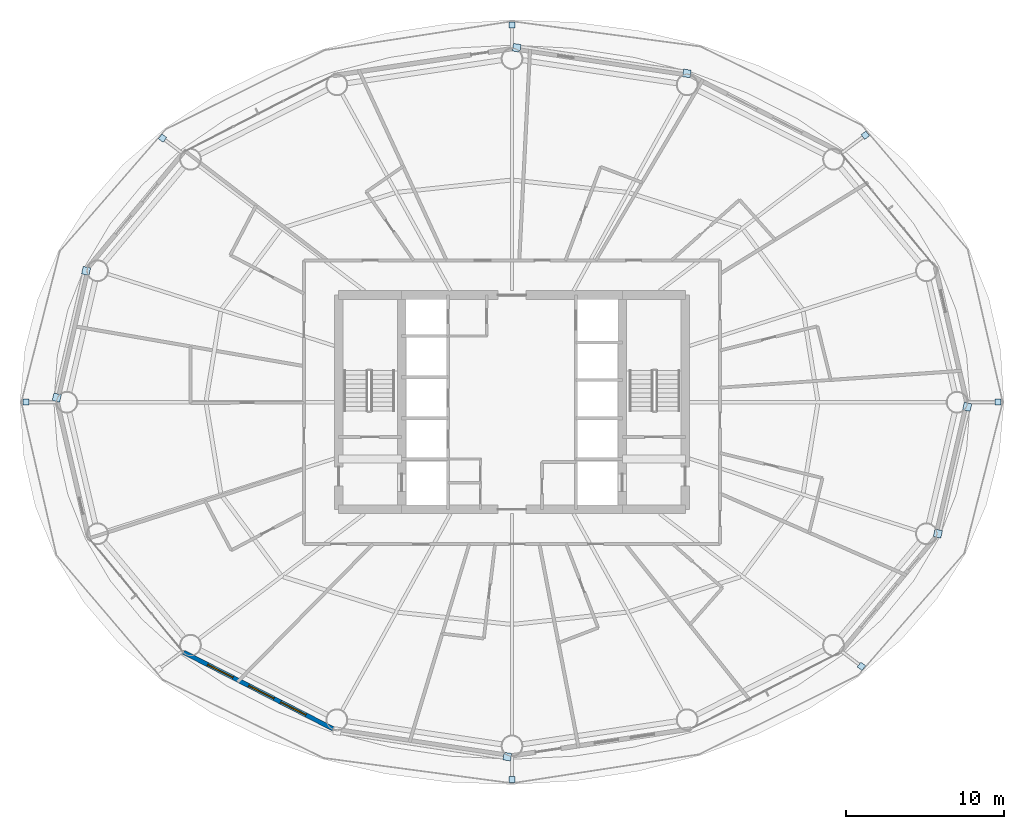
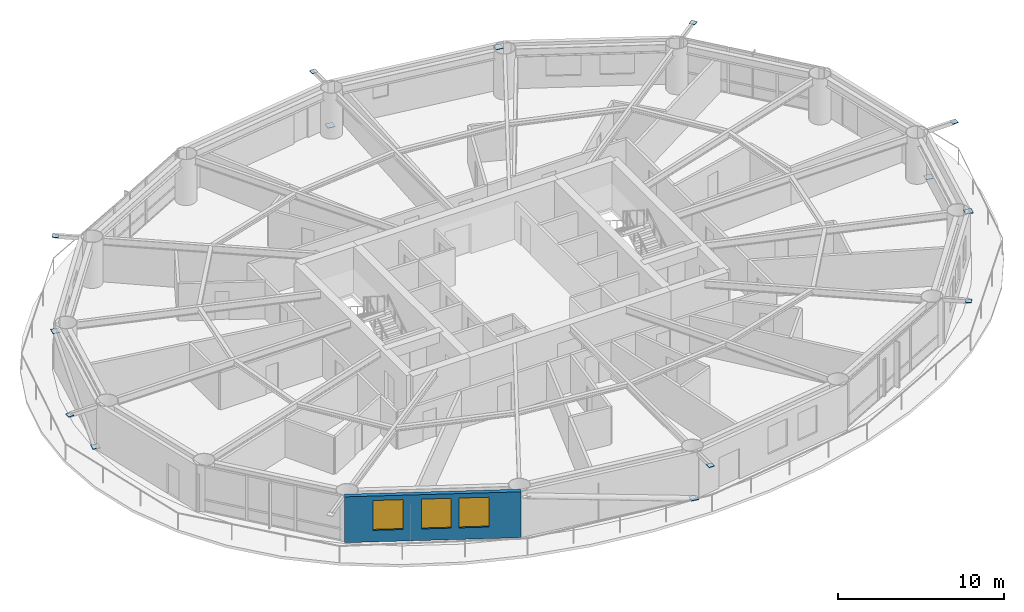
# One storey, part 17 of 24: 14 plates, 3 windows, 1 wall, 3 openings.
"""IFC4 building model written with IfcOpenShell, lengths in metres."""

from ifc_helpers import new_model, si_unit, direction, frame, frame_2d, origin, origin_2d, place, context, subcontext, project, spatial, rectangle, extrude, material, layer, layer_set, type_object, element, fill, save


model = new_model("IFC4")

# Units and contexts
model_context = context("Model", 3, precision=1e-05, world=origin(), true_north=direction((0.0, 1.0)))
body_context = subcontext(model_context, "Body", "Model", "MODEL_VIEW")
ifc_project = project(units=[si_unit("LENGTHUNIT", "METRE"), si_unit("AREAUNIT", "SQUARE_METRE"), si_unit("VOLUMEUNIT", "CUBIC_METRE"), si_unit("PLANEANGLEUNIT", "RADIAN"), si_unit("MASSUNIT", "GRAM", prefix="KILO")], contexts=[model_context])

# Site, building, storey
site_placement = place(None, origin())
site = spatial("IfcSite", under=ifc_project, at=site_placement, CompositionType="ELEMENT")
building_placement = place(site_placement, origin())
building = spatial("IfcBuilding", under=site, at=building_placement, Name="Sarneth Arch Tower", CompositionType="ELEMENT")
storey_placement = place(building_placement, frame((0.0, 0.0, 87.60009765625)))
storey = spatial("IfcBuildingStorey", under=building, at=storey_placement, Name="L21", CompositionType="ELEMENT", Elevation=87.60009765625)

# Plates
ifc_material_1 = material(Name="Steel S355", Category="steel")
ifc_layer_1 = layer(ifc_material_1, 0.035888671875)
ifc_layer_set_1 = layer_set([ifc_layer_1], Name="Steel S355")
plate_type = type_object("IfcPlateType", Name="PLT-GUSSET-30", PredefinedType="SHEET", material=ifc_layer_set_1)
for number, where, z_axis, x_axis, name in (
    (1, (78.839599609375, 42.0, 3.2021484375), (0.0, 0.0, 1.0), (1.0, 0.0, 0.0), "Steel end cap plate GP-1"),
    (2, (70.4150390625, 58.939453125, 3.2021484375), (0.0, 0.0, 1.0), (0.797794439539, 0.602929541689, 0.0), "Steel end cap plate GP-1"),
):
    element("IfcPlate", number, at=place(storey_placement, frame(where, z_axis=z_axis, x_axis=x_axis)), inside=storey, type_object=plate_type, Name=name, PredefinedType="SHEET", context=body_context, shape_type="SweptSolid", body=[
        extrude(rectangle(XDim=0.3798828125, YDim=0.3798828125, at=origin_2d()), origin(), (0.0, 0.0, 1.0), 0.035888671875),
    ])
for number, where, z_axis, x_axis, name in (
    (3, (48.296630859375, 64.4853515625, 0.001953125), (0.0, 0.0, 1.0), (-0.988860535448, 0.148845024885, 0.0), "Steel end cap plate GP-1"),
    (4, (59.0927734375, 62.859619140625, 2.9951171875), (0.0, 0.0, 1.0), (-0.988860535448, 0.148845024885, 0.0), "Steel end cap plate GP-1"),
):
    element("IfcPlate", number, at=place(storey_placement, frame(where, z_axis=z_axis, x_axis=x_axis)), inside=storey, type_object=plate_type, Name=name, PredefinedType="SHEET", context=body_context, shape_type="SweptSolid", body=[
        extrude(rectangle(XDim=0.486083984375, YDim=0.486083984375, at=origin_2d()), origin(), (0.0, 0.0, 1.0), 0.035888671875),
    ])
for number, where, z_axis, x_axis, name in (
    (5, (48.0, 65.947021484375, 3.2021484375), (0.0, 0.0, 1.0), (0.0, 1.0, 0.0), "Steel end cap plate GP-1"),
    (6, (25.830322265625, 58.754150390625, 3.2021484375), (0.0, 0.0, 1.0), (-0.797794439539, 0.602929541689, 0.0), "Steel end cap plate GP-1"),
):
    element("IfcPlate", number, at=place(storey_placement, frame(where, z_axis=z_axis, x_axis=x_axis)), inside=storey, type_object=plate_type, Name=name, PredefinedType="SHEET", context=body_context, shape_type="SweptSolid", body=[
        extrude(rectangle(XDim=0.3798828125, YDim=0.3798828125, at=origin_2d()), origin(), (0.0, 0.0, 1.0), 0.035888671875),
    ])
for number, where, z_axis, x_axis, name in (
    (7, (19.121337890625, 42.292236328125, 0.001953125), (0.0, 0.0, 1.0), (-0.225291159947, -0.974291482694, 0.0), "Steel end cap plate GP-1"),
    (8, (20.98046875, 50.32958984375, 2.9951171875), (0.0, 0.0, 1.0), (-0.225291159947, -0.974291482694, 0.0), "Steel end cap plate GP-1"),
):
    element("IfcPlate", number, at=place(storey_placement, frame(where, z_axis=z_axis, x_axis=x_axis)), inside=storey, type_object=plate_type, Name=name, PredefinedType="SHEET", context=body_context, shape_type="SweptSolid", body=[
        extrude(rectangle(XDim=0.486083984375, YDim=0.486083984375, at=origin_2d()), origin(), (0.0, 0.0, 1.0), 0.035888671875),
    ])
plate_1_placement = place(storey_placement, frame((17.160400390625, 42.0, 3.2021484375), z_axis=(0.0, 0.0, 1.0), x_axis=(-1.0, 0.0, 0.0)))
element("IfcPlate", 9, at=plate_1_placement, inside=storey, type_object=plate_type, Name="Steel end cap plate GP-1", PredefinedType="SHEET", context=body_context, shape_type="SweptSolid", body=[
    extrude(rectangle(XDim=0.3798828125, YDim=0.3798828125, at=origin_2d()), origin(), (0.0, 0.0, 1.0), 0.035888671875),
])
plate_2_placement = place(storey_placement, frame((47.703369140625, 19.5146484375, 0.001953125), z_axis=(0.0, 0.0, 1.0), x_axis=(0.988860535448, -0.148845024885, 0.0)))
element("IfcPlate", 10, at=plate_2_placement, inside=storey, type_object=plate_type, Name="Steel end cap plate GP-1", PredefinedType="SHEET", context=body_context, shape_type="SweptSolid", body=[
    extrude(rectangle(XDim=0.486083984375, YDim=0.486083984375, at=origin_2d()), origin(), (0.0, 0.0, 1.0), 0.035888671875),
])
for number, where, z_axis, x_axis, name in (
    (11, (48.0, 18.052978515625, 3.2021484375), (0.0, 0.0, 1.0), (0.0, -1.0, 0.0), "Steel end cap plate GP-1"),
    (12, (70.169677734375, 25.245849609375, 3.2021484375), (0.0, 0.0, 1.0), (0.797794439539, -0.602929541689, 0.0), "Steel end cap plate GP-1"),
):
    element("IfcPlate", number, at=place(storey_placement, frame(where, z_axis=z_axis, x_axis=x_axis)), inside=storey, type_object=plate_type, Name=name, PredefinedType="SHEET", context=body_context, shape_type="SweptSolid", body=[
        extrude(rectangle(XDim=0.3798828125, YDim=0.3798828125, at=origin_2d()), origin(), (0.0, 0.0, 1.0), 0.035888671875),
    ])
for number, where, z_axis, x_axis, name in (
    (13, (76.878662109375, 41.707763671875, 0.001953125), (0.0, 0.0, 1.0), (0.225291159947, 0.974291482694, 0.0), "Steel end cap plate GP-1"),
    (14, (75.01953125, 33.67041015625, 2.9951171875), (0.0, 0.0, 1.0), (0.225291159947, 0.974291482694, 0.0), "Steel end cap plate GP-1"),
):
    element("IfcPlate", number, at=place(storey_placement, frame(where, z_axis=z_axis, x_axis=x_axis)), inside=storey, type_object=plate_type, Name=name, PredefinedType="SHEET", context=body_context, shape_type="SweptSolid", body=[
        extrude(rectangle(XDim=0.486083984375, YDim=0.486083984375, at=origin_2d()), origin(), (0.0, 0.0, 1.0), 0.035888671875),
    ])

# Wall, openings, windows
ifc_material_2 = material(Name="Extruded terracotta rainscreen on Concrete C40/50 backing", Category="masonry")
ifc_layer_2 = layer(ifc_material_2, 0.280029296875)
ifc_layer_set_2 = layer_set([ifc_layer_2], Name="Extruded terracotta rainscreen on Concrete C40/50 backing")
wall_type = type_object("IfcWallType", Name="WALL-EXT-TERRA-280", PredefinedType="SOLIDWALL", material=ifc_layer_set_2)
wall_placement = place(storey_placement, frame((27.159912109375, 26.1396484375, 0.0), z_axis=(0.0, 0.0, 1.0), x_axis=(0.889959505023, -0.45603955905, 0.0)))
wall = element("IfcWall", 15, at=wall_placement, inside=storey, type_object=wall_type, Name="L21 Terracotta perimeter wall 11", PredefinedType="SOLIDWALL", context=body_context, shape_type="SweptSolid", body=[
    extrude(rectangle(XDim=10.662109375, YDim=0.280029296875, at=frame_2d((5.3310546875, 0.0))), origin(), (0.0, 0.0, 1.0), 3.3798828125),
])
opening_1_placement = place(wall_placement, frame((1.724365234375, 0.0, 0.85009765625)))
opening_1 = element("IfcOpeningElement", 16, at=opening_1_placement, cuts=wall, Name="Opening W-04", PredefinedType="OPENING", context=body_context, shape_type="SweptSolid", body=[
    extrude(rectangle(XDim=1.800048828125, YDim=2.199951171875, at=frame_2d((0.89990234375, 1.10009765625))), frame((0.0, 0.14990234375, 0.0), z_axis=(0.0, -1.0, 0.0), x_axis=(1.0, 0.0, 0.0)), (0.0, 0.0, 1.0), 0.300048828125),
])
opening_2_placement = place(wall_placement, frame((4.642333984375, 0.0, 0.85009765625)))
opening_2 = element("IfcOpeningElement", 17, at=opening_2_placement, cuts=wall, Name="Opening W-04", PredefinedType="OPENING", context=body_context, shape_type="SweptSolid", body=[
    extrude(rectangle(XDim=1.800048828125, YDim=2.199951171875, at=frame_2d((0.89990234375, 1.10009765625))), frame((0.0, 0.14990234375, 0.0), z_axis=(0.0, -1.0, 0.0), x_axis=(1.0, 0.0, 0.0)), (0.0, 0.0, 1.0), 0.300048828125),
])
opening_3_placement = place(wall_placement, frame((6.9267578125, 0.0, 0.85009765625)))
opening_3 = element("IfcOpeningElement", 18, at=opening_3_placement, cuts=wall, Name="Opening W-04", PredefinedType="OPENING", context=body_context, shape_type="SweptSolid", body=[
    extrude(rectangle(XDim=1.800048828125, YDim=2.199951171875, at=frame_2d((0.89990234375, 1.10009765625))), frame((0.0, 0.14990234375, 0.0), z_axis=(0.0, -1.0, 0.0), x_axis=(1.0, 0.0, 0.0)), (0.0, 0.0, 1.0), 0.300048828125),
])
ifc_material_3 = material(Name="Thermally broken Aluminium 6063-T6 and low-e laminated IGU", Category="aluminium")
window_type = type_object("IfcWindowType", Name="WIN-TWR-1800x2200", PartitioningType="DOUBLE_PANEL_VERTICAL", PredefinedType="WINDOW", material=ifc_material_3)
window_1_placement = place(opening_1_placement, origin())
window_1 = element("IfcWindow", 19, at=window_1_placement, inside=storey, type_object=window_type, Name="L21 Exterior window 11A", OverallHeight=2.199951171875, OverallWidth=1.800048828125, PartitioningType="SINGLE_PANEL", PredefinedType="WINDOW", context=body_context, shape_type="SweptSolid", body=[
    extrude(rectangle(XDim=1.800048828125, YDim=2.199951171875, at=frame_2d((0.89990234375, 1.10009765625))), frame((0.0, 0.030029296875, 0.0), z_axis=(0.0, -1.0, 0.0), x_axis=(1.0, 0.0, 0.0)), (0.0, 0.0, 1.0), 0.06005859375),
])
fill(opening_1, window_1)
window_2_placement = place(opening_2_placement, origin())
window_2 = element("IfcWindow", 20, at=window_2_placement, inside=storey, type_object=window_type, Name="L21 Exterior window 11B", OverallHeight=2.199951171875, OverallWidth=1.800048828125, PartitioningType="SINGLE_PANEL", PredefinedType="WINDOW", context=body_context, shape_type="SweptSolid", body=[
    extrude(rectangle(XDim=1.800048828125, YDim=2.199951171875, at=frame_2d((0.89990234375, 1.10009765625))), frame((0.0, 0.030029296875, 0.0), z_axis=(0.0, -1.0, 0.0), x_axis=(1.0, 0.0, 0.0)), (0.0, 0.0, 1.0), 0.06005859375),
])
fill(opening_2, window_2)
window_3_placement = place(opening_3_placement, origin())
window_3 = element("IfcWindow", 21, at=window_3_placement, inside=storey, type_object=window_type, Name="L21 Exterior window 11C", OverallHeight=2.199951171875, OverallWidth=1.800048828125, PartitioningType="SINGLE_PANEL", PredefinedType="WINDOW", context=body_context, shape_type="SweptSolid", body=[
    extrude(rectangle(XDim=1.800048828125, YDim=2.199951171875, at=frame_2d((0.89990234375, 1.10009765625))), frame((0.0, 0.030029296875, 0.0), z_axis=(0.0, -1.0, 0.0), x_axis=(1.0, 0.0, 0.0)), (0.0, 0.0, 1.0), 0.06005859375),
])
fill(opening_3, window_3)

save(model, "model.ifc")
